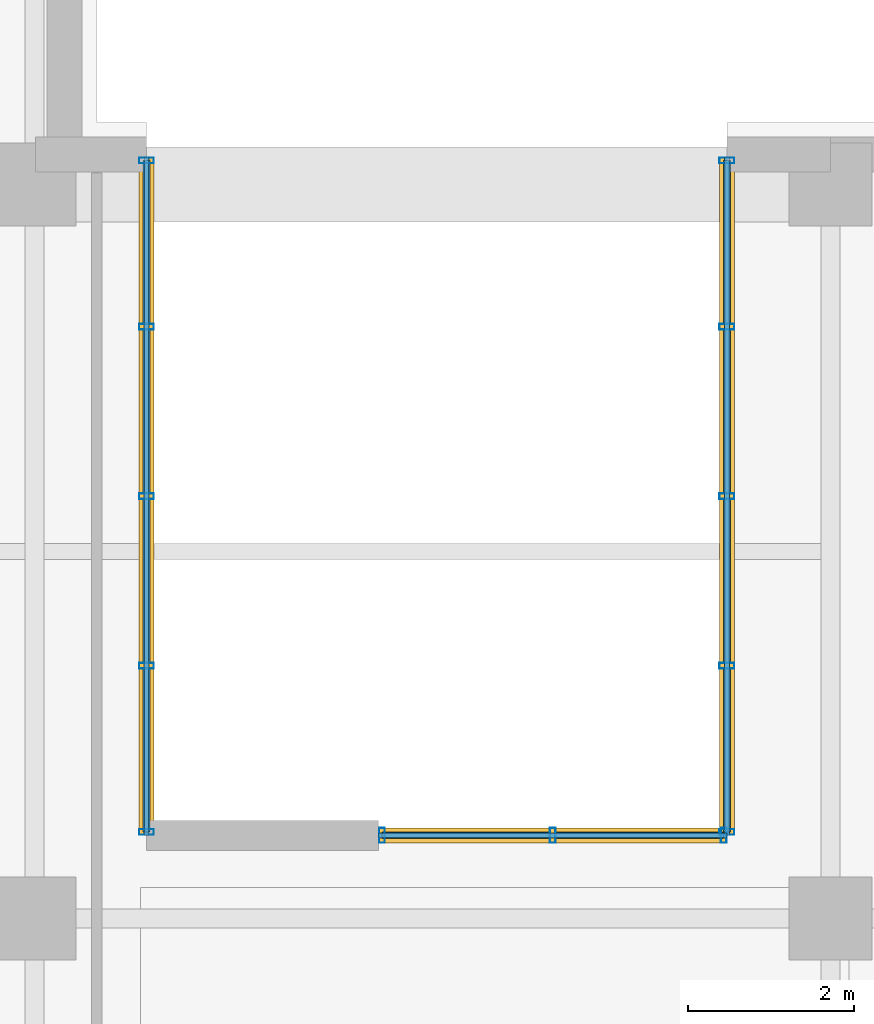
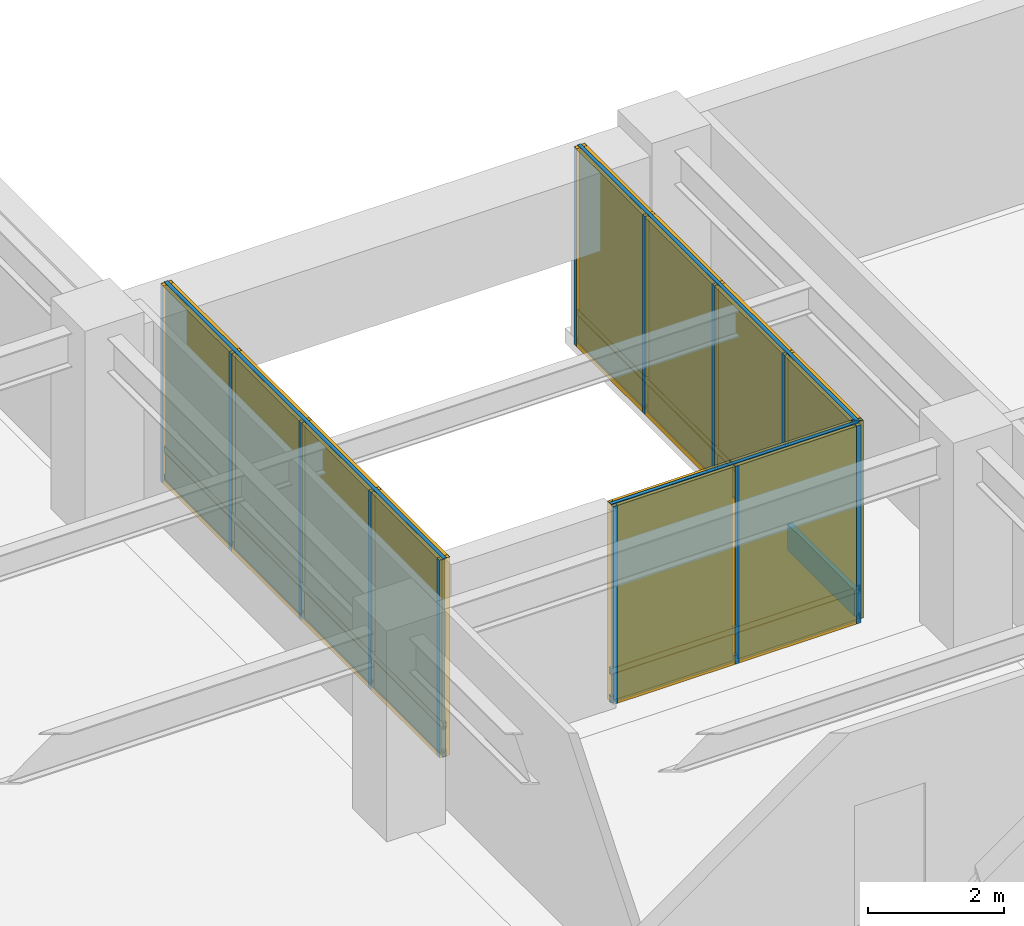
# One storey, part 9 of 14: 22 members, 20 plates, 3 curtain walls.
"""IFC4 building model written with IfcOpenShell, lengths in metres."""

from ifc_helpers import new_model, si_unit, direction, frame, frame_2d, origin, origin_2d, place, context, subcontext, project, spatial, rectangle, hollow_rectangle, extrude, material, layer, layer_set, material_profile, profile_set, type_object, element, aggregate, save


model = new_model("IFC4")

# Units and contexts
model_context = context("Model", 3, precision=1e-05, world=origin(), true_north=direction((0.0, 1.0)))
body_context = subcontext(model_context, "Body", "Model", "MODEL_VIEW")
ifc_project = project(units=[si_unit("LENGTHUNIT", "METRE"), si_unit("AREAUNIT", "SQUARE_METRE"), si_unit("VOLUMEUNIT", "CUBIC_METRE"), si_unit("PLANEANGLEUNIT", "RADIAN"), si_unit("MASSUNIT", "GRAM", prefix="KILO")], contexts=[model_context])

# Member
ifc_material_1 = material(Name="Anodized Aluminium 6063-T6", Category="aluminium")
ifc_material_profile_1 = material_profile(ifc_material_1, hollow_rectangle(XDim=0.070068359375, YDim=0.179931640625, WallThickness=0.00390625, at=origin_2d()), Name="Anodized Aluminium 6063-T6")
ifc_profile_set_1 = profile_set([ifc_material_profile_1], Name="Anodized Aluminium 6063-T6")
member_type_1 = type_object("IfcMemberType", Name="Curtain Wall Mullion 180", PredefinedType="MULLION", material=ifc_profile_set_1)
site_placement = place(None, origin())
building_placement = place(site_placement, origin())
storey_placement = place(building_placement, frame((0.0, 0.0, 116.60009765625)))
member_1_placement = place(storey_placement, frame((39.0, 29.840087890625, 0.0), z_axis=(0.0, 0.0, 1.0), x_axis=(0.0, 1.0, 0.0)))
member_1 = element("IfcMember", 1, at=member_1_placement, type_object=member_type_1, Name="Curtain Wall Mullion CW-L29-SGW-M01", PredefinedType="MULLION", context=body_context, shape_type="SweptSolid", body=[
    extrude(hollow_rectangle(XDim=0.070068359375, YDim=0.179931640625, WallThickness=0.00390625, at=origin_2d()), origin(), (0.0, 0.0, 1.0), 3.539794921875),
])

member_2_placement = place(storey_placement, frame((39.0, 31.844970703125, 0.0), z_axis=(0.0, 0.0, 1.0), x_axis=(0.0, 1.0, 0.0)))
member_2 = element("IfcMember", 2, at=member_2_placement, type_object=member_type_1, Name="Curtain Wall Mullion CW-L29-SGW-M02", PredefinedType="MULLION", context=body_context, shape_type="SweptSolid", body=[
    extrude(hollow_rectangle(XDim=0.070068359375, YDim=0.179931640625, WallThickness=0.00390625, at=origin_2d()), origin(), (0.0, 0.0, 1.0), 3.539794921875),
])

member_3_placement = place(storey_placement, frame((39.0, 33.889892578125, 0.0), z_axis=(0.0, 0.0, 1.0), x_axis=(0.0, 1.0, 0.0)))
member_3 = element("IfcMember", 3, at=member_3_placement, type_object=member_type_1, Name="Curtain Wall Mullion CW-L29-SGW-M03", PredefinedType="MULLION", context=body_context, shape_type="SweptSolid", body=[
    extrude(hollow_rectangle(XDim=0.070068359375, YDim=0.179931640625, WallThickness=0.00390625, at=origin_2d()), origin(), (0.0, 0.0, 1.0), 3.539794921875),
])

member_4_placement = place(storey_placement, frame((39.0, 35.93505859375, 0.0), z_axis=(0.0, 0.0, 1.0), x_axis=(0.0, 1.0, 0.0)))
member_4 = element("IfcMember", 4, at=member_4_placement, type_object=member_type_1, Name="Curtain Wall Mullion CW-L29-SGW-M04", PredefinedType="MULLION", context=body_context, shape_type="SweptSolid", body=[
    extrude(hollow_rectangle(XDim=0.070068359375, YDim=0.179931640625, WallThickness=0.00390625, at=origin_2d()), origin(), (0.0, 0.0, 1.0), 3.539794921875),
])

member_5_placement = place(storey_placement, frame((39.0, 37.93994140625, 0.0), z_axis=(0.0, 0.0, 1.0), x_axis=(0.0, 1.0, 0.0)))
member_5 = element("IfcMember", 5, at=member_5_placement, type_object=member_type_1, Name="Curtain Wall Mullion CW-L29-SGW-M05", PredefinedType="MULLION", context=body_context, shape_type="SweptSolid", body=[
    extrude(hollow_rectangle(XDim=0.070068359375, YDim=0.179931640625, WallThickness=0.00390625, at=origin_2d()), origin(), (0.0, 0.0, 1.0), 3.539794921875),
])

member_6_placement = place(storey_placement, frame((46.0, 29.840087890625, 0.0), z_axis=(0.0, 0.0, 1.0), x_axis=(0.0, 1.0, 0.0)))
member_6 = element("IfcMember", 6, at=member_6_placement, type_object=member_type_1, Name="Curtain Wall Mullion CW-L29-SGE-M01", PredefinedType="MULLION", context=body_context, shape_type="SweptSolid", body=[
    extrude(hollow_rectangle(XDim=0.070068359375, YDim=0.179931640625, WallThickness=0.00390625, at=origin_2d()), origin(), (0.0, 0.0, 1.0), 3.539794921875),
])

member_7_placement = place(storey_placement, frame((46.0, 31.844970703125, 0.0), z_axis=(0.0, 0.0, 1.0), x_axis=(0.0, 1.0, 0.0)))
member_7 = element("IfcMember", 7, at=member_7_placement, type_object=member_type_1, Name="Curtain Wall Mullion CW-L29-SGE-M02", PredefinedType="MULLION", context=body_context, shape_type="SweptSolid", body=[
    extrude(hollow_rectangle(XDim=0.070068359375, YDim=0.179931640625, WallThickness=0.00390625, at=origin_2d()), origin(), (0.0, 0.0, 1.0), 3.539794921875),
])

member_8_placement = place(storey_placement, frame((46.0, 33.889892578125, 0.0), z_axis=(0.0, 0.0, 1.0), x_axis=(0.0, 1.0, 0.0)))
member_8 = element("IfcMember", 8, at=member_8_placement, type_object=member_type_1, Name="Curtain Wall Mullion CW-L29-SGE-M03", PredefinedType="MULLION", context=body_context, shape_type="SweptSolid", body=[
    extrude(hollow_rectangle(XDim=0.070068359375, YDim=0.179931640625, WallThickness=0.00390625, at=origin_2d()), origin(), (0.0, 0.0, 1.0), 3.539794921875),
])

member_9_placement = place(storey_placement, frame((46.0, 35.93505859375, 0.0), z_axis=(0.0, 0.0, 1.0), x_axis=(0.0, 1.0, 0.0)))
member_9 = element("IfcMember", 9, at=member_9_placement, type_object=member_type_1, Name="Curtain Wall Mullion CW-L29-SGE-M04", PredefinedType="MULLION", context=body_context, shape_type="SweptSolid", body=[
    extrude(hollow_rectangle(XDim=0.070068359375, YDim=0.179931640625, WallThickness=0.00390625, at=origin_2d()), origin(), (0.0, 0.0, 1.0), 3.539794921875),
])

member_10_placement = place(storey_placement, frame((46.0, 37.93994140625, 0.0), z_axis=(0.0, 0.0, 1.0), x_axis=(0.0, 1.0, 0.0)))
member_10 = element("IfcMember", 10, at=member_10_placement, type_object=member_type_1, Name="Curtain Wall Mullion CW-L29-SGE-M05", PredefinedType="MULLION", context=body_context, shape_type="SweptSolid", body=[
    extrude(hollow_rectangle(XDim=0.070068359375, YDim=0.179931640625, WallThickness=0.00390625, at=origin_2d()), origin(), (0.0, 0.0, 1.0), 3.539794921875),
])

member_11_placement = place(storey_placement, frame((41.840087890625, 29.800048828125, 0.0), z_axis=(0.0, 0.0, 1.0), x_axis=(1.0, 0.0, 0.0)))
member_11 = element("IfcMember", 11, at=member_11_placement, type_object=member_type_1, Name="Curtain Wall Mullion CW-L29-SGS-M01", PredefinedType="MULLION", context=body_context, shape_type="SweptSolid", body=[
    extrude(hollow_rectangle(XDim=0.070068359375, YDim=0.179931640625, WallThickness=0.00390625, at=origin_2d()), origin(), (0.0, 0.0, 1.0), 3.539794921875),
])

member_12_placement = place(storey_placement, frame((43.89990234375, 29.800048828125, 0.0), z_axis=(0.0, 0.0, 1.0), x_axis=(1.0, 0.0, 0.0)))
member_12 = element("IfcMember", 12, at=member_12_placement, type_object=member_type_1, Name="Curtain Wall Mullion CW-L29-SGS-M02", PredefinedType="MULLION", context=body_context, shape_type="SweptSolid", body=[
    extrude(hollow_rectangle(XDim=0.070068359375, YDim=0.179931640625, WallThickness=0.00390625, at=origin_2d()), origin(), (0.0, 0.0, 1.0), 3.539794921875),
])

member_13_placement = place(storey_placement, frame((45.9599609375, 29.800048828125, 0.0), z_axis=(0.0, 0.0, 1.0), x_axis=(1.0, 0.0, 0.0)))
member_13 = element("IfcMember", 13, at=member_13_placement, type_object=member_type_1, Name="Curtain Wall Mullion CW-L29-SGS-M03", PredefinedType="MULLION", context=body_context, shape_type="SweptSolid", body=[
    extrude(hollow_rectangle(XDim=0.070068359375, YDim=0.179931640625, WallThickness=0.00390625, at=origin_2d()), origin(), (0.0, 0.0, 1.0), 3.539794921875),
])

ifc_material_profile_2 = material_profile(ifc_material_1, hollow_rectangle(XDim=0.06005859375, YDim=0.1201171875, WallThickness=0.00341796875, at=origin_2d()), Name="Anodized Aluminium 6063-T6")
ifc_profile_set_2 = profile_set([ifc_material_profile_2], Name="Anodized Aluminium 6063-T6")
member_type_2 = type_object("IfcMemberType", Name="Curtain Wall Transom 120", PredefinedType="USERDEFINED", material=ifc_profile_set_2)
member_14_placement = place(storey_placement, frame((39.0, 29.800048828125, 0.0498046875), z_axis=(0.0, 1.0, 0.0), x_axis=(-1.0, 0.0, 0.0)))
member_14 = element("IfcMember", 14, at=member_14_placement, type_object=member_type_2, Name="Curtain Wall Transom CW-L29-SGW-T01", ObjectType="TRANSOM", PredefinedType="USERDEFINED", context=body_context, shape_type="SweptSolid", body=[
    extrude(hollow_rectangle(XDim=0.06005859375, YDim=0.1201171875, WallThickness=0.00341796875, at=origin_2d()), origin(), (0.0, 0.0, 1.0), 8.179931640625),
])

member_15_placement = place(storey_placement, frame((39.0, 29.800048828125, 0.5498046875), z_axis=(0.0, 1.0, 0.0), x_axis=(-1.0, 0.0, 0.0)))
member_15 = element("IfcMember", 15, at=member_15_placement, type_object=member_type_2, Name="Curtain Wall Transom CW-L29-SGW-T02", ObjectType="TRANSOM", PredefinedType="USERDEFINED", context=body_context, shape_type="SweptSolid", body=[
    extrude(hollow_rectangle(XDim=0.06005859375, YDim=0.1201171875, WallThickness=0.00341796875, at=origin_2d()), origin(), (0.0, 0.0, 1.0), 8.179931640625),
])

member_16_placement = place(storey_placement, frame((39.0, 29.800048828125, 3.489990234375), z_axis=(0.0, 1.0, 0.0), x_axis=(-1.0, 0.0, 0.0)))
member_16 = element("IfcMember", 16, at=member_16_placement, type_object=member_type_2, Name="Curtain Wall Transom CW-L29-SGW-T03", ObjectType="TRANSOM", PredefinedType="USERDEFINED", context=body_context, shape_type="SweptSolid", body=[
    extrude(hollow_rectangle(XDim=0.06005859375, YDim=0.1201171875, WallThickness=0.00341796875, at=origin_2d()), origin(), (0.0, 0.0, 1.0), 8.179931640625),
])

member_17_placement = place(storey_placement, frame((46.0, 29.800048828125, 0.0498046875), z_axis=(0.0, 1.0, 0.0), x_axis=(-1.0, 0.0, 0.0)))
member_17 = element("IfcMember", 17, at=member_17_placement, type_object=member_type_2, Name="Curtain Wall Transom CW-L29-SGE-T01", ObjectType="TRANSOM", PredefinedType="USERDEFINED", context=body_context, shape_type="SweptSolid", body=[
    extrude(hollow_rectangle(XDim=0.06005859375, YDim=0.1201171875, WallThickness=0.00341796875, at=origin_2d()), origin(), (0.0, 0.0, 1.0), 8.179931640625),
])

member_18_placement = place(storey_placement, frame((46.0, 29.800048828125, 0.5498046875), z_axis=(0.0, 1.0, 0.0), x_axis=(-1.0, 0.0, 0.0)))
member_18 = element("IfcMember", 18, at=member_18_placement, type_object=member_type_2, Name="Curtain Wall Transom CW-L29-SGE-T02", ObjectType="TRANSOM", PredefinedType="USERDEFINED", context=body_context, shape_type="SweptSolid", body=[
    extrude(hollow_rectangle(XDim=0.06005859375, YDim=0.1201171875, WallThickness=0.00341796875, at=origin_2d()), origin(), (0.0, 0.0, 1.0), 8.179931640625),
])

member_19_placement = place(storey_placement, frame((46.0, 29.800048828125, 3.489990234375), z_axis=(0.0, 1.0, 0.0), x_axis=(-1.0, 0.0, 0.0)))
member_19 = element("IfcMember", 19, at=member_19_placement, type_object=member_type_2, Name="Curtain Wall Transom CW-L29-SGE-T03", ObjectType="TRANSOM", PredefinedType="USERDEFINED", context=body_context, shape_type="SweptSolid", body=[
    extrude(hollow_rectangle(XDim=0.06005859375, YDim=0.1201171875, WallThickness=0.00341796875, at=origin_2d()), origin(), (0.0, 0.0, 1.0), 8.179931640625),
])

member_20_placement = place(storey_placement, frame((41.800048828125, 29.800048828125, 0.0498046875), z_axis=(1.0, 0.0, 0.0), x_axis=(0.0, 1.0, 0.0)))
member_20 = element("IfcMember", 20, at=member_20_placement, type_object=member_type_2, Name="Curtain Wall Transom CW-L29-SGS-T01", ObjectType="TRANSOM", PredefinedType="USERDEFINED", context=body_context, shape_type="SweptSolid", body=[
    extrude(hollow_rectangle(XDim=0.06005859375, YDim=0.1201171875, WallThickness=0.00341796875, at=origin_2d()), origin(), (0.0, 0.0, 1.0), 4.199951171875),
])

member_21_placement = place(storey_placement, frame((41.800048828125, 29.800048828125, 0.5498046875), z_axis=(1.0, 0.0, 0.0), x_axis=(0.0, 1.0, 0.0)))
member_21 = element("IfcMember", 21, at=member_21_placement, type_object=member_type_2, Name="Curtain Wall Transom CW-L29-SGS-T02", ObjectType="TRANSOM", PredefinedType="USERDEFINED", context=body_context, shape_type="SweptSolid", body=[
    extrude(hollow_rectangle(XDim=0.06005859375, YDim=0.1201171875, WallThickness=0.00341796875, at=origin_2d()), origin(), (0.0, 0.0, 1.0), 4.199951171875),
])

member_22_placement = place(storey_placement, frame((41.800048828125, 29.800048828125, 3.489990234375), z_axis=(1.0, 0.0, 0.0), x_axis=(0.0, 1.0, 0.0)))
member_22 = element("IfcMember", 22, at=member_22_placement, type_object=member_type_2, Name="Curtain Wall Transom CW-L29-SGS-T03", ObjectType="TRANSOM", PredefinedType="USERDEFINED", context=body_context, shape_type="SweptSolid", body=[
    extrude(hollow_rectangle(XDim=0.06005859375, YDim=0.1201171875, WallThickness=0.00341796875, at=origin_2d()), origin(), (0.0, 0.0, 1.0), 4.199951171875),
])

# Plate
ifc_material_2 = material(Name="Bird-Friendly Fritted Triple Glazing", Category="glass")
ifc_layer_1 = layer(ifc_material_2, 0.052001953125, Name="Bird-Friendly Fritted Triple Glazing")
ifc_layer_set_1 = layer_set([ifc_layer_1], Name="Bird-Friendly Fritted Triple Glazing")
plate_type_1 = type_object("IfcPlateType", Name="Plate CWGlazing 52", PredefinedType="CURTAIN_PANEL", material=ifc_layer_set_1)
plate_1_placement = place(storey_placement, frame((39.0, 30.822509765625, 0.58984375), z_axis=(0.0, 0.0, 1.0), x_axis=(0.0, 1.0, 0.0)))
plate_1 = element("IfcPlate", 23, at=plate_1_placement, type_object=plate_type_1, Name="Vision Glazing Panel CW-L29-SGW-GL01", PredefinedType="CURTAIN_PANEL", context=body_context, shape_type="SweptSolid", body=[
    extrude(rectangle(XDim=1.965087890625, YDim=0.052001953125, at=origin_2d()), origin(), (0.0, 0.0, 1.0), 2.909912109375),
])

plate_2_placement = place(storey_placement, frame((39.0, 32.867431640625, 0.58984375), z_axis=(0.0, 0.0, 1.0), x_axis=(0.0, 1.0, 0.0)))
plate_2 = element("IfcPlate", 24, at=plate_2_placement, type_object=plate_type_1, Name="Vision Glazing Panel CW-L29-SGW-GL02", PredefinedType="CURTAIN_PANEL", context=body_context, shape_type="SweptSolid", body=[
    extrude(rectangle(XDim=1.965087890625, YDim=0.052001953125, at=origin_2d()), origin(), (0.0, 0.0, 1.0), 2.909912109375),
])

plate_3_placement = place(storey_placement, frame((39.0, 34.91259765625, 0.58984375), z_axis=(0.0, 0.0, 1.0), x_axis=(0.0, 1.0, 0.0)))
plate_3 = element("IfcPlate", 25, at=plate_3_placement, type_object=plate_type_1, Name="Vision Glazing Panel CW-L29-SGW-GL03", PredefinedType="CURTAIN_PANEL", context=body_context, shape_type="SweptSolid", body=[
    extrude(rectangle(XDim=1.965087890625, YDim=0.052001953125, at=origin_2d()), origin(), (0.0, 0.0, 1.0), 2.909912109375),
])

plate_4_placement = place(storey_placement, frame((39.0, 36.95751953125, 0.58984375), z_axis=(0.0, 0.0, 1.0), x_axis=(0.0, 1.0, 0.0)))
plate_4 = element("IfcPlate", 26, at=plate_4_placement, type_object=plate_type_1, Name="Vision Glazing Panel CW-L29-SGW-GL04", PredefinedType="CURTAIN_PANEL", context=body_context, shape_type="SweptSolid", body=[
    extrude(rectangle(XDim=1.965087890625, YDim=0.052001953125, at=origin_2d()), origin(), (0.0, 0.0, 1.0), 2.909912109375),
])

plate_5_placement = place(storey_placement, frame((46.0, 30.822509765625, 0.58984375), z_axis=(0.0, 0.0, 1.0), x_axis=(0.0, 1.0, 0.0)))
plate_5 = element("IfcPlate", 27, at=plate_5_placement, type_object=plate_type_1, Name="Vision Glazing Panel CW-L29-SGE-GL01", PredefinedType="CURTAIN_PANEL", context=body_context, shape_type="SweptSolid", body=[
    extrude(rectangle(XDim=1.965087890625, YDim=0.052001953125, at=origin_2d()), origin(), (0.0, 0.0, 1.0), 2.909912109375),
])

plate_6_placement = place(storey_placement, frame((46.0, 32.867431640625, 0.58984375), z_axis=(0.0, 0.0, 1.0), x_axis=(0.0, 1.0, 0.0)))
plate_6 = element("IfcPlate", 28, at=plate_6_placement, type_object=plate_type_1, Name="Vision Glazing Panel CW-L29-SGE-GL02", PredefinedType="CURTAIN_PANEL", context=body_context, shape_type="SweptSolid", body=[
    extrude(rectangle(XDim=1.965087890625, YDim=0.052001953125, at=origin_2d()), origin(), (0.0, 0.0, 1.0), 2.909912109375),
])

plate_7_placement = place(storey_placement, frame((46.0, 34.91259765625, 0.58984375), z_axis=(0.0, 0.0, 1.0), x_axis=(0.0, 1.0, 0.0)))
plate_7 = element("IfcPlate", 29, at=plate_7_placement, type_object=plate_type_1, Name="Vision Glazing Panel CW-L29-SGE-GL03", PredefinedType="CURTAIN_PANEL", context=body_context, shape_type="SweptSolid", body=[
    extrude(rectangle(XDim=1.965087890625, YDim=0.052001953125, at=origin_2d()), origin(), (0.0, 0.0, 1.0), 2.909912109375),
])

plate_8_placement = place(storey_placement, frame((46.0, 36.95751953125, 0.58984375), z_axis=(0.0, 0.0, 1.0), x_axis=(0.0, 1.0, 0.0)))
plate_8 = element("IfcPlate", 30, at=plate_8_placement, type_object=plate_type_1, Name="Vision Glazing Panel CW-L29-SGE-GL04", PredefinedType="CURTAIN_PANEL", context=body_context, shape_type="SweptSolid", body=[
    extrude(rectangle(XDim=1.965087890625, YDim=0.052001953125, at=origin_2d()), origin(), (0.0, 0.0, 1.0), 2.909912109375),
])

plate_9_placement = place(storey_placement, frame((42.85009765625, 29.800048828125, 0.58984375), z_axis=(0.0, 0.0, 1.0), x_axis=(1.0, 0.0, 0.0)))
plate_9 = element("IfcPlate", 31, at=plate_9_placement, type_object=plate_type_1, Name="Vision Glazing Panel CW-L29-SGS-GL01", PredefinedType="CURTAIN_PANEL", context=body_context, shape_type="SweptSolid", body=[
    extrude(rectangle(XDim=2.02001953125, YDim=0.052001953125, at=origin_2d()), origin(), (0.0, 0.0, 1.0), 2.909912109375),
])

plate_10_placement = place(storey_placement, frame((44.949951171875, 29.800048828125, 0.58984375), z_axis=(0.0, 0.0, 1.0), x_axis=(1.0, 0.0, 0.0)))
plate_10 = element("IfcPlate", 32, at=plate_10_placement, type_object=plate_type_1, Name="Vision Glazing Panel CW-L29-SGS-GL02", PredefinedType="CURTAIN_PANEL", context=body_context, shape_type="SweptSolid", body=[
    extrude(rectangle(XDim=2.02001953125, YDim=0.052001953125, at=origin_2d()), origin(), (0.0, 0.0, 1.0), 2.909912109375),
])

ifc_material_3 = material(Name="Insulated Aluminium Spandrel Panel", Category="aluminium")
ifc_layer_2 = layer(ifc_material_3, 0.080078125, Name="Insulated Aluminium Spandrel Panel")
ifc_layer_set_2 = layer_set([ifc_layer_2], Name="Insulated Aluminium Spandrel Panel")
plate_type_2 = type_object("IfcPlateType", Name="Plate CWSpandrel 80", PredefinedType="SHEET", material=ifc_layer_set_2)
plate_11_placement = place(storey_placement, frame((39.0, 30.822509765625, 0.0400390625), z_axis=(0.0, 0.0, 1.0), x_axis=(0.0, 1.0, 0.0)))
plate_11 = element("IfcPlate", 33, at=plate_11_placement, type_object=plate_type_2, Name="Spandrel Panel CW-L29-SGW-SP01", PredefinedType="SHEET", context=body_context, shape_type="SweptSolid", body=[
    extrude(rectangle(XDim=1.965087890625, YDim=0.080078125, at=origin_2d()), origin(), (0.0, 0.0, 1.0), 0.469970703125),
])

plate_12_placement = place(storey_placement, frame((39.0, 32.867431640625, 0.0400390625), z_axis=(0.0, 0.0, 1.0), x_axis=(0.0, 1.0, 0.0)))
plate_12 = element("IfcPlate", 34, at=plate_12_placement, type_object=plate_type_2, Name="Spandrel Panel CW-L29-SGW-SP02", PredefinedType="SHEET", context=body_context, shape_type="SweptSolid", body=[
    extrude(rectangle(XDim=1.965087890625, YDim=0.080078125, at=origin_2d()), origin(), (0.0, 0.0, 1.0), 0.469970703125),
])

plate_13_placement = place(storey_placement, frame((39.0, 34.91259765625, 0.0400390625), z_axis=(0.0, 0.0, 1.0), x_axis=(0.0, 1.0, 0.0)))
plate_13 = element("IfcPlate", 35, at=plate_13_placement, type_object=plate_type_2, Name="Spandrel Panel CW-L29-SGW-SP03", PredefinedType="SHEET", context=body_context, shape_type="SweptSolid", body=[
    extrude(rectangle(XDim=1.965087890625, YDim=0.080078125, at=origin_2d()), origin(), (0.0, 0.0, 1.0), 0.469970703125),
])

plate_14_placement = place(storey_placement, frame((39.0, 36.95751953125, 0.0400390625), z_axis=(0.0, 0.0, 1.0), x_axis=(0.0, 1.0, 0.0)))
plate_14 = element("IfcPlate", 36, at=plate_14_placement, type_object=plate_type_2, Name="Spandrel Panel CW-L29-SGW-SP04", PredefinedType="SHEET", context=body_context, shape_type="SweptSolid", body=[
    extrude(rectangle(XDim=1.965087890625, YDim=0.080078125, at=origin_2d()), origin(), (0.0, 0.0, 1.0), 0.469970703125),
])

plate_15_placement = place(storey_placement, frame((46.0, 30.822509765625, 0.0400390625), z_axis=(0.0, 0.0, 1.0), x_axis=(0.0, 1.0, 0.0)))
plate_15 = element("IfcPlate", 37, at=plate_15_placement, type_object=plate_type_2, Name="Spandrel Panel CW-L29-SGE-SP01", PredefinedType="SHEET", context=body_context, shape_type="SweptSolid", body=[
    extrude(rectangle(XDim=1.965087890625, YDim=0.080078125, at=origin_2d()), origin(), (0.0, 0.0, 1.0), 0.469970703125),
])

plate_16_placement = place(storey_placement, frame((46.0, 32.867431640625, 0.0400390625), z_axis=(0.0, 0.0, 1.0), x_axis=(0.0, 1.0, 0.0)))
plate_16 = element("IfcPlate", 38, at=plate_16_placement, type_object=plate_type_2, Name="Spandrel Panel CW-L29-SGE-SP02", PredefinedType="SHEET", context=body_context, shape_type="SweptSolid", body=[
    extrude(rectangle(XDim=1.965087890625, YDim=0.080078125, at=origin_2d()), origin(), (0.0, 0.0, 1.0), 0.469970703125),
])

plate_17_placement = place(storey_placement, frame((46.0, 34.91259765625, 0.0400390625), z_axis=(0.0, 0.0, 1.0), x_axis=(0.0, 1.0, 0.0)))
plate_17 = element("IfcPlate", 39, at=plate_17_placement, type_object=plate_type_2, Name="Spandrel Panel CW-L29-SGE-SP03", PredefinedType="SHEET", context=body_context, shape_type="SweptSolid", body=[
    extrude(rectangle(XDim=1.965087890625, YDim=0.080078125, at=origin_2d()), origin(), (0.0, 0.0, 1.0), 0.469970703125),
])

plate_18_placement = place(storey_placement, frame((46.0, 36.95751953125, 0.0400390625), z_axis=(0.0, 0.0, 1.0), x_axis=(0.0, 1.0, 0.0)))
plate_18 = element("IfcPlate", 40, at=plate_18_placement, type_object=plate_type_2, Name="Spandrel Panel CW-L29-SGE-SP04", PredefinedType="SHEET", context=body_context, shape_type="SweptSolid", body=[
    extrude(rectangle(XDim=1.965087890625, YDim=0.080078125, at=origin_2d()), origin(), (0.0, 0.0, 1.0), 0.469970703125),
])

plate_19_placement = place(storey_placement, frame((42.85009765625, 29.800048828125, 0.0400390625), z_axis=(0.0, 0.0, 1.0), x_axis=(1.0, 0.0, 0.0)))
plate_19 = element("IfcPlate", 41, at=plate_19_placement, type_object=plate_type_2, Name="Spandrel Panel CW-L29-SGS-SP01", PredefinedType="SHEET", context=body_context, shape_type="SweptSolid", body=[
    extrude(rectangle(XDim=2.02001953125, YDim=0.080078125, at=origin_2d()), origin(), (0.0, 0.0, 1.0), 0.469970703125),
])

plate_20_placement = place(storey_placement, frame((44.949951171875, 29.800048828125, 0.0400390625), z_axis=(0.0, 0.0, 1.0), x_axis=(1.0, 0.0, 0.0)))
plate_20 = element("IfcPlate", 42, at=plate_20_placement, type_object=plate_type_2, Name="Spandrel Panel CW-L29-SGS-SP02", PredefinedType="SHEET", context=body_context, shape_type="SweptSolid", body=[
    extrude(rectangle(XDim=2.02001953125, YDim=0.080078125, at=origin_2d()), origin(), (0.0, 0.0, 1.0), 0.469970703125),
])

# Site, building, storey
site = spatial("IfcSite", under=ifc_project, at=site_placement, CompositionType="ELEMENT")
building = spatial("IfcBuilding", under=site, at=building_placement, Name="Norrvale University Quadrangle", CompositionType="ELEMENT")
storey = spatial("IfcBuildingStorey", under=building, at=storey_placement, Name="L29", CompositionType="ELEMENT", Elevation=116.60009765625)

# Curtain wall
ifc_material_4 = material(Name="Anodized Aluminium and Triple Glazing", Category="glass")
curtain_wall_type = type_object("IfcCurtainWallType", Name="Curtain Wall System 2 Sky Garden", PredefinedType="NOTDEFINED", material=ifc_material_4)
curtain_wall_1_placement = place(storey_placement, frame((39.0, 29.800048828125, 0.0), z_axis=(0.0, 0.0, 1.0), x_axis=(0.0, 1.0, 0.0)))
curtain_wall_1 = element("IfcCurtainWall", 43, at=curtain_wall_1_placement, inside=storey, type_object=curtain_wall_type, Name="Curtain Wall CW System 2 Sky Garden CW-L29-SGW", PredefinedType="NOTDEFINED", context=body_context, shape_type="SweptSolid", body=[
    extrude(rectangle(XDim=8.179931640625, YDim=0.179931640625, at=frame_2d((4.08984375, 0.0))), origin(), (0.0, 0.0, 1.0), 3.539794921875),
])

aggregate(curtain_wall_1, [member_1, member_2, member_3, member_4, member_5, member_14, member_15, member_16, plate_11, plate_1, plate_12, plate_2, plate_13, plate_3, plate_14, plate_4])

curtain_wall_2_placement = place(storey_placement, frame((46.0, 29.800048828125, 0.0), z_axis=(0.0, 0.0, 1.0), x_axis=(0.0, 1.0, 0.0)))
curtain_wall_2 = element("IfcCurtainWall", 44, at=curtain_wall_2_placement, inside=storey, type_object=curtain_wall_type, Name="Curtain Wall CW System 2 Sky Garden CW-L29-SGE", PredefinedType="NOTDEFINED", context=body_context, shape_type="SweptSolid", body=[
    extrude(rectangle(XDim=8.179931640625, YDim=0.179931640625, at=frame_2d((4.08984375, 0.0))), origin(), (0.0, 0.0, 1.0), 3.539794921875),
])

aggregate(curtain_wall_2, [member_6, member_7, member_8, member_9, member_10, member_17, member_18, member_19, plate_15, plate_5, plate_16, plate_6, plate_17, plate_7, plate_18, plate_8])

curtain_wall_3_placement = place(storey_placement, frame((41.800048828125, 29.800048828125, 0.0), z_axis=(0.0, 0.0, 1.0), x_axis=(1.0, 0.0, 0.0)))
curtain_wall_3 = element("IfcCurtainWall", 45, at=curtain_wall_3_placement, inside=storey, type_object=curtain_wall_type, Name="Curtain Wall CW System 2 Sky Garden CW-L29-SGS", PredefinedType="NOTDEFINED", context=body_context, shape_type="SweptSolid", body=[
    extrude(rectangle(XDim=4.199951171875, YDim=0.179931640625, at=frame_2d((2.10009765625, 0.0))), origin(), (0.0, 0.0, 1.0), 3.539794921875),
])

aggregate(curtain_wall_3, [member_11, member_12, member_13, member_20, member_21, member_22, plate_19, plate_9, plate_20, plate_10])

save(model, "model.ifc")
